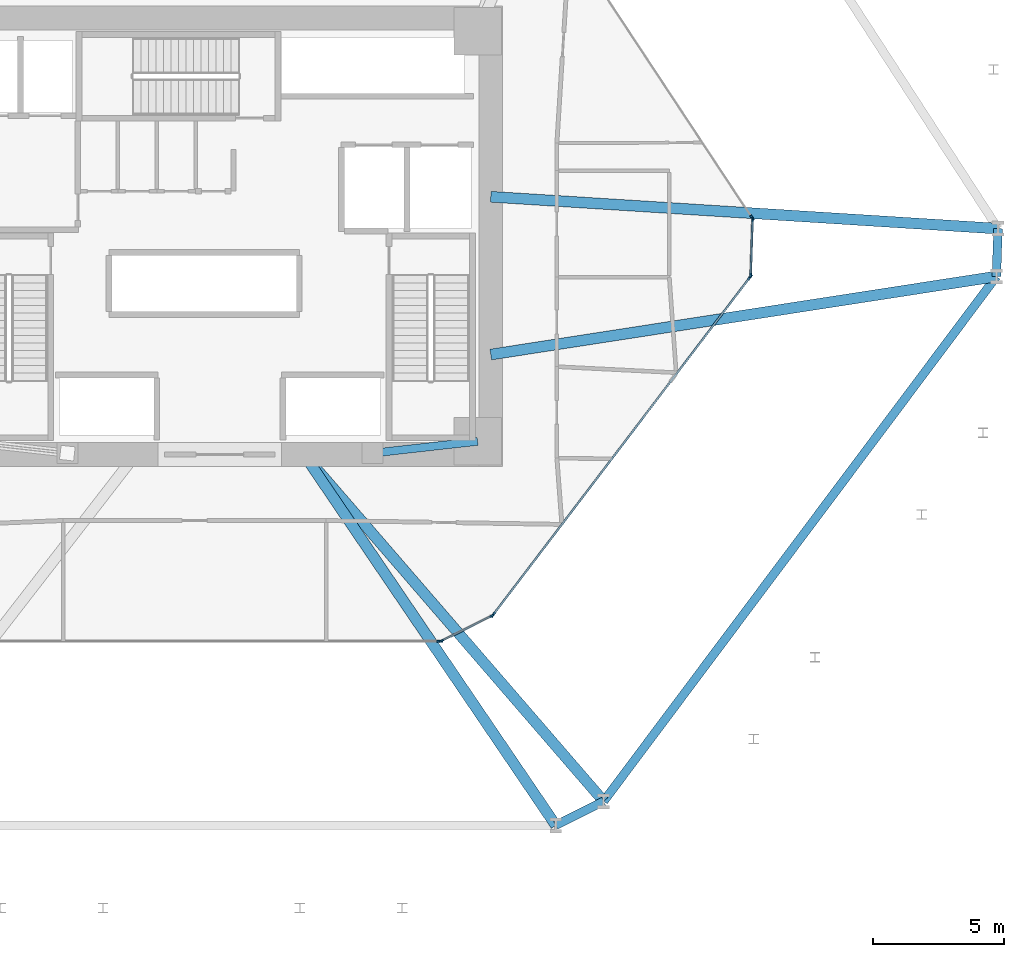
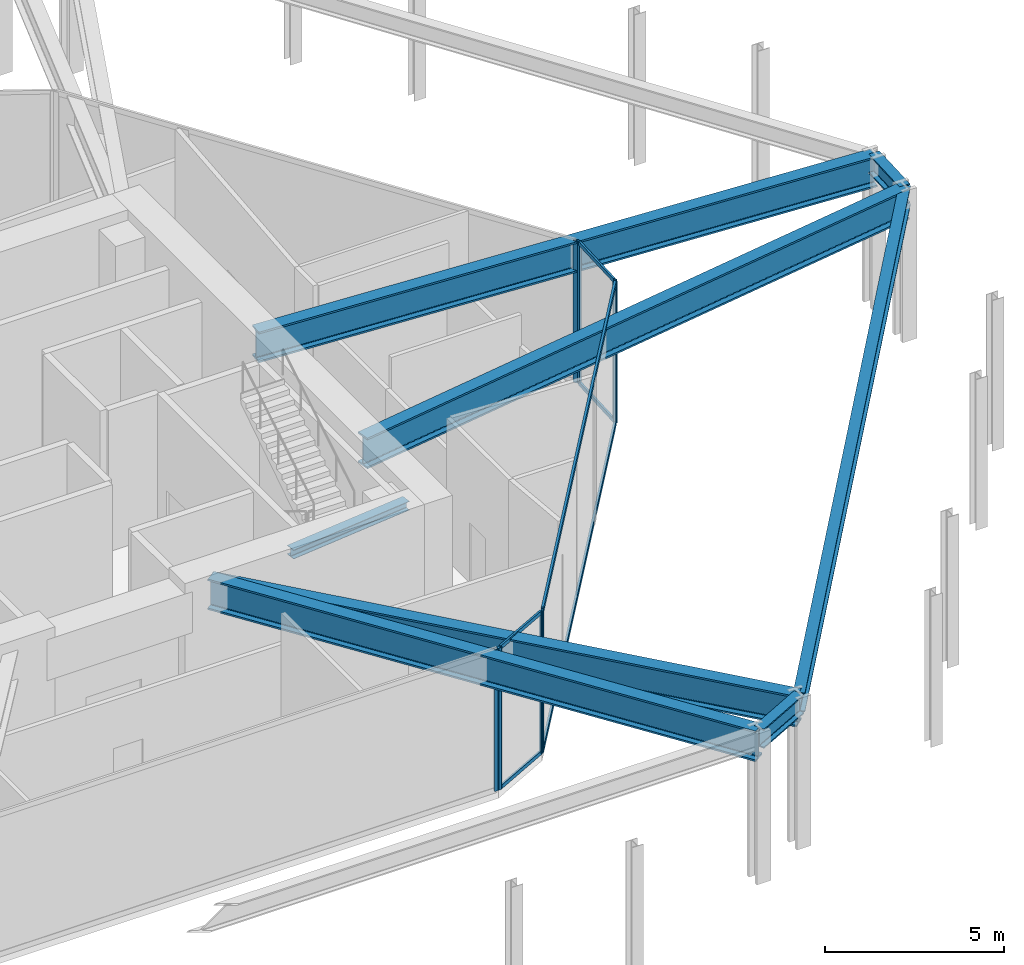
# One storey, part 8 of 16: 14 members, 8 beams, 5 elements without a shape of their own.
"""IFC4 building model written with IfcOpenShell, lengths in metres."""

from ifc_helpers import new_model, si_unit, direction, frame, origin, origin_2d, place, context, subcontext, project, spatial, rectangle, i_section, extrude, source, transform, mapped, material, layer, layer_set, material_profile, profile_set, type_object, type_shapes, element, aggregate, save


model = new_model("IFC4")

# Units and contexts
model_context = context("Model", 3, precision=1e-05, world=origin(), true_north=direction((0.0, 1.0)))
body_context = subcontext(model_context, "Body", "Model", "MODEL_VIEW")
ifc_project = project(units=[si_unit("LENGTHUNIT", "METRE"), si_unit("AREAUNIT", "SQUARE_METRE"), si_unit("VOLUMEUNIT", "CUBIC_METRE"), si_unit("PLANEANGLEUNIT", "RADIAN"), si_unit("MASSUNIT", "GRAM", prefix="KILO")], contexts=[model_context])

# Site, building, storey
site_placement = place(None, origin())
site = spatial("IfcSite", under=ifc_project, at=site_placement, CompositionType="ELEMENT")
building_placement = place(site_placement, origin())
building = spatial("IfcBuilding", under=site, at=building_placement, Name="Durnholm Broadcast Tower", CompositionType="ELEMENT")
storey_placement = place(building_placement, frame((0.0, 0.0, 5.199951171875)))
storey = spatial("IfcBuildingStorey", under=building, at=storey_placement, Name="L01", CompositionType="ELEMENT", Elevation=5.199951171875)

# Beams
ifc_material_1 = material(Name="Steel ASTM A992 Grade 50", Category="steel")
ifc_material_profile_1 = material_profile(ifc_material_1, i_section(OverallWidth=0.3330078125, OverallDepth=0.660888671875, WebThickness=0.0244140625, FlangeThickness=0.0439453125, FilletRadius=0.02783203125, at=origin_2d()), Name="W24X229")
ifc_profile_set_1 = profile_set([ifc_material_profile_1], Name="Steel ASTM A992 Grade 50")
beam_type_1 = type_object("IfcBeamType", Name="STL-SP-W24X229", PredefinedType="SPANDREL", material=ifc_profile_set_1)
shared_shape_1 = source(origin(), body_context, "Body", "SweptSolid", [
    extrude(i_section(OverallWidth=0.3330078125, OverallDepth=0.660888671875, WebThickness=0.0244140625, FlangeThickness=0.0439453125, FilletRadius=0.02783203125, at=origin_2d()), origin(), (0.0, 0.0, 1.0), 1.820068359375),
])
beam_1_placement = place(storey_placement, frame((29.590576171875, 0.28857421875, 4.504638671875), z_axis=(-0.033667655889, -0.999433083776, 0.0), x_axis=(0.999433083776, -0.033667655889, 0.0)))
element("IfcBeam", 1, at=beam_1_placement, inside=storey, type_object=beam_type_1, Name="L01 perimeter spandrel girder 08", PredefinedType="SPANDREL", context=body_context, shape_type="MappedRepresentation", body=[
    mapped(shared_shape_1, transform((0.0, 0.0, 0.0), x_axis=(1.0, 0.0, 0.0), y_axis=(0.0, 1.0, 0.0), z_axis=(0.0, 0.0, 1.0), scale=1.0)),
])
shared_shape_2 = source(origin(), body_context, "Body", "SweptSolid", [
    extrude(i_section(OverallWidth=0.3330078125, OverallDepth=0.660888671875, WebThickness=0.0244140625, FlangeThickness=0.0439453125, FilletRadius=0.02783203125, at=origin_2d()), origin(), (0.0, 0.0, 1.0), 24.926513671875),
])
beam_2_placement = place(storey_placement, frame((29.529296875, -1.530517578125, 4.504638671875), z_axis=(-0.599153427318, -0.800634230178, 0.0), x_axis=(0.800634230178, -0.599153427318, 0.0)))
element("IfcBeam", 2, at=beam_2_placement, inside=storey, type_object=beam_type_1, Name="L01 perimeter spandrel girder 09", PredefinedType="SPANDREL", context=body_context, shape_type="MappedRepresentation", body=[
    mapped(shared_shape_2, transform((0.0, 0.0, 0.0), x_axis=(1.0, 0.0, 0.0), y_axis=(0.0, 1.0, 0.0), z_axis=(0.0, 0.0, 1.0), scale=1.0)),
])
shared_shape_3 = source(origin(), body_context, "Body", "SweptSolid", [
    extrude(i_section(OverallWidth=0.3330078125, OverallDepth=0.660888671875, WebThickness=0.0244140625, FlangeThickness=0.0439453125, FilletRadius=0.02783203125, at=origin_2d()), origin(), (0.0, 0.0, 1.0), 2.0380859375),
])
type_shapes(beam_type_1, [shared_shape_1, shared_shape_2, shared_shape_3])
beam_3_placement = place(storey_placement, frame((14.594482421875, -21.487548828125, 4.504638671875), z_axis=(-0.894211470078, -0.447644777452, 0.0), x_axis=(0.447644777452, -0.894211470078, 0.0)))
element("IfcBeam", 3, at=beam_3_placement, inside=storey, type_object=beam_type_1, Name="L01 perimeter spandrel girder 10", PredefinedType="SPANDREL", context=body_context, shape_type="MappedRepresentation", body=[
    mapped(shared_shape_3, transform((0.0, 0.0, 0.0), x_axis=(1.0, 0.0, 0.0), y_axis=(0.0, 1.0, 0.0), z_axis=(0.0, 0.0, 1.0), scale=1.0)),
])
ifc_material_profile_2 = material_profile(ifc_material_1, i_section(OverallWidth=0.3046875, OverallDepth=0.307861328125, WebThickness=0.010009765625, FlangeThickness=0.015380859375, FilletRadius=0.019287109375, at=origin_2d()), Name="W12X65")
ifc_profile_set_2 = profile_set([ifc_material_profile_2], Name="Steel ASTM A992 Grade 50")
beam_type_2 = type_object("IfcBeamType", Name="STL-BL-W12X65", PredefinedType="LINTEL", material=ifc_profile_set_2)
shared_shape_4 = source(origin(), body_context, "Body", "SweptSolid", [
    extrude(i_section(OverallWidth=0.3046875, OverallDepth=0.307861328125, WebThickness=0.010009765625, FlangeThickness=0.015380859375, FilletRadius=0.019287109375, at=origin_2d()), origin(), (0.0, 0.0, 1.0), 4.025146484375),
])
type_shapes(beam_type_2, [shared_shape_4])
beam_4_placement = place(storey_placement, frame((9.800048828125, -7.800048828125, 4.68115234375), z_axis=(-0.993732663715, -0.111782794142, 0.0), x_axis=(0.111782794142, -0.993732663715, 0.0)))
element("IfcBeam", 4, at=beam_4_placement, inside=storey, type_object=beam_type_2, Name="L01 east pilaster tie lintel", PredefinedType="LINTEL", context=body_context, shape_type="MappedRepresentation", body=[
    mapped(shared_shape_4, transform((0.0, 0.0, 0.0), x_axis=(1.0, 0.0, 0.0), y_axis=(0.0, 1.0, 0.0), z_axis=(0.0, 0.0, 1.0), scale=1.0)),
])
ifc_material_profile_3 = material_profile(ifc_material_1, i_section(OverallWidth=0.412109375, OverallDepth=1.048095703125, WebThickness=0.033935546875, FlangeThickness=0.059814453125, FilletRadius=0.04052734375, at=origin_2d()), Name="W40X431")
ifc_profile_set_3 = profile_set([ifc_material_profile_3], Name="Steel ASTM A992 Grade 50")
beam_type_3 = type_object("IfcBeamType", Name="STL-TG-W40X431", PredefinedType="USERDEFINED", material=ifc_profile_set_3)
shared_shape_5 = source(origin(), body_context, "Body", "SweptSolid", [
    extrude(i_section(OverallWidth=0.412109375, OverallDepth=1.048095703125, WebThickness=0.033935546875, FlangeThickness=0.059814453125, FilletRadius=0.04052734375, at=origin_2d()), origin(), (0.0, 0.0, 1.0), 19.32861328125),
])
beam_5_placement = place(storey_placement, frame((10.300048828125, 1.5, 4.31103515625), z_axis=(0.998033956176, -0.062675532065, 0.0), x_axis=(0.062675532065, 0.998033956176, 0.0)))
element("IfcBeam", 5, at=beam_5_placement, inside=storey, type_object=beam_type_3, Name="L01 radial primary floor girder 08", ObjectType="GIRDER", PredefinedType="USERDEFINED", context=body_context, shape_type="MappedRepresentation", body=[
    mapped(shared_shape_5, transform((0.0, 0.0, 0.0), x_axis=(1.0, 0.0, 0.0), y_axis=(0.0, 1.0, 0.0), z_axis=(0.0, 0.0, 1.0), scale=1.0)),
])
shared_shape_6 = source(origin(), body_context, "Body", "SweptSolid", [
    extrude(i_section(OverallWidth=0.412109375, OverallDepth=1.048095703125, WebThickness=0.033935546875, FlangeThickness=0.059814453125, FilletRadius=0.04052734375, at=origin_2d()), origin(), (0.0, 0.0, 1.0), 17.42822265625),
])
beam_6_placement = place(storey_placement, frame((3.199951171875, -8.300048828125, 4.31103515625), z_axis=(0.653794915042, -0.756671797456, 0.0), x_axis=(0.756671797456, 0.653794915042, 0.0)))
element("IfcBeam", 6, at=beam_6_placement, inside=storey, type_object=beam_type_3, Name="L01 radial primary floor girder 10", ObjectType="GIRDER", PredefinedType="USERDEFINED", context=body_context, shape_type="MappedRepresentation", body=[
    mapped(shared_shape_6, transform((0.0, 0.0, 0.0), x_axis=(1.0, 0.0, 0.0), y_axis=(0.0, 1.0, 0.0), z_axis=(0.0, 0.0, 1.0), scale=1.0)),
])
shared_shape_7 = source(origin(), body_context, "Body", "SweptSolid", [
    extrude(i_section(OverallWidth=0.412109375, OverallDepth=1.048095703125, WebThickness=0.033935546875, FlangeThickness=0.059814453125, FilletRadius=0.04052734375, at=origin_2d()), origin(), (0.0, 0.0, 1.0), 17.0419921875),
])
beam_7_placement = place(storey_placement, frame((3.199951171875, -8.300048828125, 4.31103515625), z_axis=(0.561672715675, -0.827359511015, 0.0), x_axis=(0.827359511015, 0.561672715675, 0.0)))
element("IfcBeam", 7, at=beam_7_placement, inside=storey, type_object=beam_type_3, Name="L01 radial primary floor girder 11", ObjectType="GIRDER", PredefinedType="USERDEFINED", context=body_context, shape_type="MappedRepresentation", body=[
    mapped(shared_shape_7, transform((0.0, 0.0, 0.0), x_axis=(1.0, 0.0, 0.0), y_axis=(0.0, 1.0, 0.0), z_axis=(0.0, 0.0, 1.0), scale=1.0)),
])
shared_shape_8 = source(origin(), body_context, "Body", "SweptSolid", [
    extrude(i_section(OverallWidth=0.412109375, OverallDepth=1.048095703125, WebThickness=0.033935546875, FlangeThickness=0.059814453125, FilletRadius=0.04052734375, at=origin_2d()), origin(), (0.0, 0.0, 1.0), 19.457275390625),
])
type_shapes(beam_type_3, [shared_shape_5, shared_shape_6, shared_shape_7, shared_shape_8])
beam_8_placement = place(storey_placement, frame((10.300048828125, -4.5, 4.31103515625), z_axis=(0.988285519632, 0.152616289061, 0.0), x_axis=(-0.152616289061, 0.988285519632, 0.0)))
element("IfcBeam", 8, at=beam_8_placement, inside=storey, type_object=beam_type_3, Name="L01 radial primary floor girder 09", ObjectType="GIRDER", PredefinedType="USERDEFINED", context=body_context, shape_type="MappedRepresentation", body=[
    mapped(shared_shape_8, transform((0.0, 0.0, 0.0), x_axis=(1.0, 0.0, 0.0), y_axis=(0.0, 1.0, 0.0), z_axis=(0.0, 0.0, 1.0), scale=1.0)),
])

# Curtain wall, members
ifc_material_2 = material(Name="Aluminium and Solar Control IGU", Category="aluminium")
ifc_layer_1 = layer(ifc_material_2, 0.1650390625)
ifc_layer_set_1 = layer_set([ifc_layer_1], Name="Aluminium and Solar Control IGU")
curtain_wall_type_1 = type_object("IfcCurtainWallType", Name="CW-SYS-5", PredefinedType="NOTDEFINED", material=ifc_layer_set_1)
curtain_wall_1_placement = place(storey_placement, origin())
curtain_wall_1 = element("IfcCurtainWall", 9, at=curtain_wall_1_placement, inside=storey, type_object=curtain_wall_type_1, Name="L01 curtain wall CW-CORNER CW-L01-CRN-07", PredefinedType="NOTDEFINED")
ifc_material_3 = material(Name="Aluminium 6063-T6", Category="aluminium")
ifc_material_profile_4 = material_profile(ifc_material_3, rectangle(XDim=0.06494140625, YDim=0.1298828125, at=origin_2d()), Name="CWT65X130")
ifc_profile_set_4 = profile_set([ifc_material_profile_4], Name="Aluminium 6063-T6")
member_type_1 = type_object("IfcMemberType", Name="CW-SYS-5-TRN", PredefinedType="USERDEFINED", material=ifc_profile_set_4)
shared_shape_9 = source(origin(), body_context, "Body", "SweptSolid", [
    extrude(rectangle(XDim=0.06494140625, YDim=0.1298828125, at=origin_2d()), origin(), (0.0, 0.0, 1.0), 2.070068359375),
])
member_1_placement = place(storey_placement, frame((20.254638671875, 0.60791015625, 0.032470703125), z_axis=(-0.033377662898, -0.99944281058, 0.0), x_axis=(0.99944281058, -0.033377662898, 0.0)))
member_1 = element("IfcMember", 10, at=member_1_placement, type_object=member_type_1, Name="CW-CORNER transom 1.1", ObjectType="TRANSOM", PredefinedType="USERDEFINED", context=body_context, shape_type="MappedRepresentation", body=[
    mapped(shared_shape_9, transform((0.0, 0.0, 0.0), x_axis=(1.0, 0.0, 0.0), y_axis=(0.0, 1.0, 0.0), z_axis=(0.0, 0.0, 1.0), scale=1.0)),
])
member_2_placement = place(storey_placement, frame((20.254638671875, 0.60791015625, 4.817626953125), z_axis=(-0.033377662898, -0.99944281058, 0.0), x_axis=(0.99944281058, -0.033377662898, 0.0)))
member_2 = element("IfcMember", 11, at=member_2_placement, type_object=member_type_1, Name="CW-CORNER transom 1.2", ObjectType="TRANSOM", PredefinedType="USERDEFINED", context=body_context, shape_type="MappedRepresentation", body=[
    mapped(shared_shape_9, transform((0.0, 0.0, 0.0), x_axis=(1.0, 0.0, 0.0), y_axis=(0.0, 1.0, 0.0), z_axis=(0.0, 0.0, 1.0), scale=1.0)),
])

curtain_wall_2_placement = place(storey_placement, origin())
curtain_wall_2 = element("IfcCurtainWall", 12, at=curtain_wall_2_placement, inside=storey, type_object=curtain_wall_type_1, Name="L01 curtain wall CW-CORNER CW-L01-CRN-09", PredefinedType="NOTDEFINED")
shared_shape_10 = source(origin(), body_context, "Body", "SweptSolid", [
    extrude(rectangle(XDim=0.06494140625, YDim=0.1298828125, at=origin_2d()), origin(), (0.0, 0.0, 1.0), 2.06982421875),
])
type_shapes(member_type_1, [shared_shape_9, shared_shape_10])
member_3_placement = place(storey_placement, frame((10.3125, -14.45166015625, 0.032470703125), z_axis=(-0.895931826743, -0.444191582348, 0.0), x_axis=(0.444191582348, -0.895931826743, 0.0)))
member_3 = element("IfcMember", 13, at=member_3_placement, type_object=member_type_1, Name="CW-CORNER transom 1.1", ObjectType="TRANSOM", PredefinedType="USERDEFINED", context=body_context, shape_type="MappedRepresentation", body=[
    mapped(shared_shape_10, transform((0.0, 0.0, 0.0), x_axis=(1.0, 0.0, 0.0), y_axis=(0.0, 1.0, 0.0), z_axis=(0.0, 0.0, 1.0), scale=1.0)),
])
member_4_placement = place(storey_placement, frame((10.3125, -14.45166015625, 4.817626953125), z_axis=(-0.895931826743, -0.444191582348, 0.0), x_axis=(0.444191582348, -0.895931826743, 0.0)))
member_4 = element("IfcMember", 14, at=member_4_placement, type_object=member_type_1, Name="CW-CORNER transom 1.2", ObjectType="TRANSOM", PredefinedType="USERDEFINED", context=body_context, shape_type="MappedRepresentation", body=[
    mapped(shared_shape_10, transform((0.0, 0.0, 0.0), x_axis=(1.0, 0.0, 0.0), y_axis=(0.0, 1.0, 0.0), z_axis=(0.0, 0.0, 1.0), scale=1.0)),
])

# Member
ifc_material_profile_5 = material_profile(ifc_material_3, rectangle(XDim=0.06494140625, YDim=0.1650390625, at=origin_2d()), Name="CWM65X165")
ifc_profile_set_5 = profile_set([ifc_material_profile_5], Name="Aluminium 6063-T6")
member_type_2 = type_object("IfcMemberType", Name="CW-SYS-5-MUL", PredefinedType="MULLION", material=ifc_profile_set_5)
shared_shape_11 = source(origin(), body_context, "Body", "SweptSolid", [
    extrude(rectangle(XDim=0.06494140625, YDim=0.1650390625, at=origin_2d()), origin(), (0.0, 0.0, 1.0), 4.85009765625),
])
type_shapes(member_type_2, [shared_shape_11])
member_5_placement = place(storey_placement, frame((20.255859375, 0.640380859375, 0.0), z_axis=(0.0, 0.0, 1.0), x_axis=(0.99944172404, -0.033410181794, 0.0)))
member_5 = element("IfcMember", 15, at=member_5_placement, type_object=member_type_2, Name="CW-CORNER mullion 1", PredefinedType="MULLION", context=body_context, shape_type="MappedRepresentation", body=[
    mapped(shared_shape_11, transform((0.0, 0.0, 0.0), x_axis=(1.0, 0.0, 0.0), y_axis=(0.0, 1.0, 0.0), z_axis=(0.0, 0.0, 1.0), scale=1.0)),
])

member_6_placement = place(storey_placement, frame((20.1845703125, -1.493408203125, 0.0), z_axis=(0.0, 0.0, 1.0), x_axis=(0.99944172404, -0.033410181794, 0.0)))
member_6 = element("IfcMember", 16, at=member_6_placement, type_object=member_type_2, Name="CW-CORNER mullion 2", PredefinedType="MULLION", context=body_context, shape_type="MappedRepresentation", body=[
    mapped(shared_shape_11, transform((0.0, 0.0, 0.0), x_axis=(1.0, 0.0, 0.0), y_axis=(0.0, 1.0, 0.0), z_axis=(0.0, 0.0, 1.0), scale=1.0)),
])

aggregate(curtain_wall_1, [member_5, member_6, member_1, member_2])

member_7_placement = place(storey_placement, frame((10.341796875, -14.437255859375, 0.0), z_axis=(0.0, 0.0, 1.0), x_axis=(0.444138216362, -0.895958282939, 0.0)))
member_7 = element("IfcMember", 17, at=member_7_placement, type_object=member_type_2, Name="CW-CORNER mullion 1", PredefinedType="MULLION", context=body_context, shape_type="MappedRepresentation", body=[
    mapped(shared_shape_11, transform((0.0, 0.0, 0.0), x_axis=(1.0, 0.0, 0.0), y_axis=(0.0, 1.0, 0.0), z_axis=(0.0, 0.0, 1.0), scale=1.0)),
])

member_8_placement = place(storey_placement, frame((8.4287109375, -15.385498046875, 0.0), z_axis=(0.0, 0.0, 1.0), x_axis=(0.444138216362, -0.895958282939, 0.0)))
member_8 = element("IfcMember", 18, at=member_8_placement, type_object=member_type_2, Name="CW-CORNER mullion 2", PredefinedType="MULLION", context=body_context, shape_type="MappedRepresentation", body=[
    mapped(shared_shape_11, transform((0.0, 0.0, 0.0), x_axis=(1.0, 0.0, 0.0), y_axis=(0.0, 1.0, 0.0), z_axis=(0.0, 0.0, 1.0), scale=1.0)),
])

aggregate(curtain_wall_2, [member_7, member_8, member_3, member_4])

# Curtain wall, member
ifc_layer_2 = layer(ifc_material_2, 0.219970703125)
ifc_layer_set_2 = layer_set([ifc_layer_2], Name="Aluminium and Solar Control IGU")
curtain_wall_type_2 = type_object("IfcCurtainWallType", Name="CW-SYS-1", PredefinedType="NOTDEFINED", material=ifc_layer_set_2)
curtain_wall_3_placement = place(storey_placement, origin())
curtain_wall_3 = element("IfcCurtainWall", 19, at=curtain_wall_3_placement, inside=storey, type_object=curtain_wall_type_2, Name="L01 curtain wall CW-LOBBY CW-L01-F06", PredefinedType="NOTDEFINED")
ifc_material_profile_6 = material_profile(ifc_material_3, rectangle(XDim=0.074951171875, YDim=0.219970703125, at=origin_2d()), Name="CWM75X220")
ifc_profile_set_6 = profile_set([ifc_material_profile_6], Name="Aluminium 6063-T6")
member_type_3 = type_object("IfcMemberType", Name="CW-SYS-1-MUL", PredefinedType="MULLION", material=ifc_profile_set_6)
shared_shape_12 = source(origin(), body_context, "Body", "SweptSolid", [
    extrude(rectangle(XDim=0.074951171875, YDim=0.219970703125, at=origin_2d()), origin(), (0.0, 0.0, 1.0), 4.85009765625),
])
type_shapes(member_type_3, [shared_shape_12])
member_9_placement = place(storey_placement, frame((20.236328125, 0.7041015625, 0.0), z_axis=(0.0, 0.0, 1.0), x_axis=(0.834496352934, 0.551013463483, 0.0)))
member_9 = element("IfcMember", 20, at=member_9_placement, type_object=member_type_3, Name="CW-LOBBY mullion 2", PredefinedType="MULLION", context=body_context, shape_type="MappedRepresentation", body=[
    mapped(shared_shape_12, transform((0.0, 0.0, 0.0), x_axis=(1.0, 0.0, 0.0), y_axis=(0.0, 1.0, 0.0), z_axis=(0.0, 0.0, 1.0), scale=1.0)),
])
aggregate(curtain_wall_3, [member_9])

# Curtain wall, members
curtain_wall_4_placement = place(storey_placement, origin())
curtain_wall_4 = element("IfcCurtainWall", 21, at=curtain_wall_4_placement, inside=storey, type_object=curtain_wall_type_2, Name="L01 curtain wall CW-LOBBY CW-L01-F08", PredefinedType="NOTDEFINED")
member_10_placement = place(storey_placement, frame((20.16064453125, -1.5556640625, 0.0), z_axis=(0.0, 0.0, 1.0), x_axis=(0.795838649187, -0.605508748459, 0.0)))
member_10 = element("IfcMember", 22, at=member_10_placement, type_object=member_type_3, Name="CW-LOBBY mullion 1", PredefinedType="MULLION", context=body_context, shape_type="MappedRepresentation", body=[
    mapped(shared_shape_12, transform((0.0, 0.0, 0.0), x_axis=(1.0, 0.0, 0.0), y_axis=(0.0, 1.0, 0.0), z_axis=(0.0, 0.0, 1.0), scale=1.0)),
])
member_11_placement = place(storey_placement, frame((10.3935546875, -14.39306640625, 0.0), z_axis=(0.0, 0.0, 1.0), x_axis=(0.795838649187, -0.605508748459, 0.0)))
member_11 = element("IfcMember", 23, at=member_11_placement, type_object=member_type_3, Name="CW-LOBBY mullion 2", PredefinedType="MULLION", context=body_context, shape_type="MappedRepresentation", body=[
    mapped(shared_shape_12, transform((0.0, 0.0, 0.0), x_axis=(1.0, 0.0, 0.0), y_axis=(0.0, 1.0, 0.0), z_axis=(0.0, 0.0, 1.0), scale=1.0)),
])

# Curtain wall, member
curtain_wall_5_placement = place(storey_placement, origin())
curtain_wall_5 = element("IfcCurtainWall", 24, at=curtain_wall_5_placement, inside=storey, type_object=curtain_wall_type_2, Name="L01 curtain wall CW-LOBBY CW-L01-F10", PredefinedType="NOTDEFINED")
member_12_placement = place(storey_placement, frame((8.3623046875, -15.39990234375, 0.0), z_axis=(0.0, 0.0, 1.0), x_axis=(0.0, -1.0, 0.0)))
member_12 = element("IfcMember", 25, at=member_12_placement, type_object=member_type_3, Name="CW-LOBBY mullion 1", PredefinedType="MULLION", context=body_context, shape_type="MappedRepresentation", body=[
    mapped(shared_shape_12, transform((0.0, 0.0, 0.0), x_axis=(1.0, 0.0, 0.0), y_axis=(0.0, 1.0, 0.0), z_axis=(0.0, 0.0, 1.0), scale=1.0)),
])
aggregate(curtain_wall_5, [member_12])

# Member
ifc_material_profile_7 = material_profile(ifc_material_3, rectangle(XDim=0.074951171875, YDim=0.179931640625, at=origin_2d()), Name="CWT75X180")
ifc_profile_set_7 = profile_set([ifc_material_profile_7], Name="Aluminium 6063-T6")
member_type_4 = type_object("IfcMemberType", Name="CW-SYS-1-TRN", PredefinedType="USERDEFINED", material=ifc_profile_set_7)
shared_shape_13 = source(origin(), body_context, "Body", "SweptSolid", [
    extrude(rectangle(XDim=0.074951171875, YDim=0.179931640625, at=origin_2d()), origin(), (0.0, 0.0, 1.0), 16.055419921875),
])
type_shapes(member_type_4, [shared_shape_13])
member_13_placement = place(storey_placement, frame((20.137939453125, -1.585693359375, 0.03759765625), z_axis=(-0.605506130187, -0.795840641276, 0.0), x_axis=(0.795840641276, -0.605506130187, 0.0)))
member_13 = element("IfcMember", 26, at=member_13_placement, type_object=member_type_4, Name="CW-LOBBY transom 1.1", ObjectType="TRANSOM", PredefinedType="USERDEFINED", context=body_context, shape_type="MappedRepresentation", body=[
    mapped(shared_shape_13, transform((0.0, 0.0, 0.0), x_axis=(1.0, 0.0, 0.0), y_axis=(0.0, 1.0, 0.0), z_axis=(0.0, 0.0, 1.0), scale=1.0)),
])

member_14_placement = place(storey_placement, frame((20.137939453125, -1.585693359375, 4.8125), z_axis=(-0.605506130187, -0.795840641276, 0.0), x_axis=(0.795840641276, -0.605506130187, 0.0)))
member_14 = element("IfcMember", 27, at=member_14_placement, type_object=member_type_4, Name="CW-LOBBY transom 1.2", ObjectType="TRANSOM", PredefinedType="USERDEFINED", context=body_context, shape_type="MappedRepresentation", body=[
    mapped(shared_shape_13, transform((0.0, 0.0, 0.0), x_axis=(1.0, 0.0, 0.0), y_axis=(0.0, 1.0, 0.0), z_axis=(0.0, 0.0, 1.0), scale=1.0)),
])

aggregate(curtain_wall_4, [member_10, member_11, member_13, member_14])

save(model, "model.ifc")
